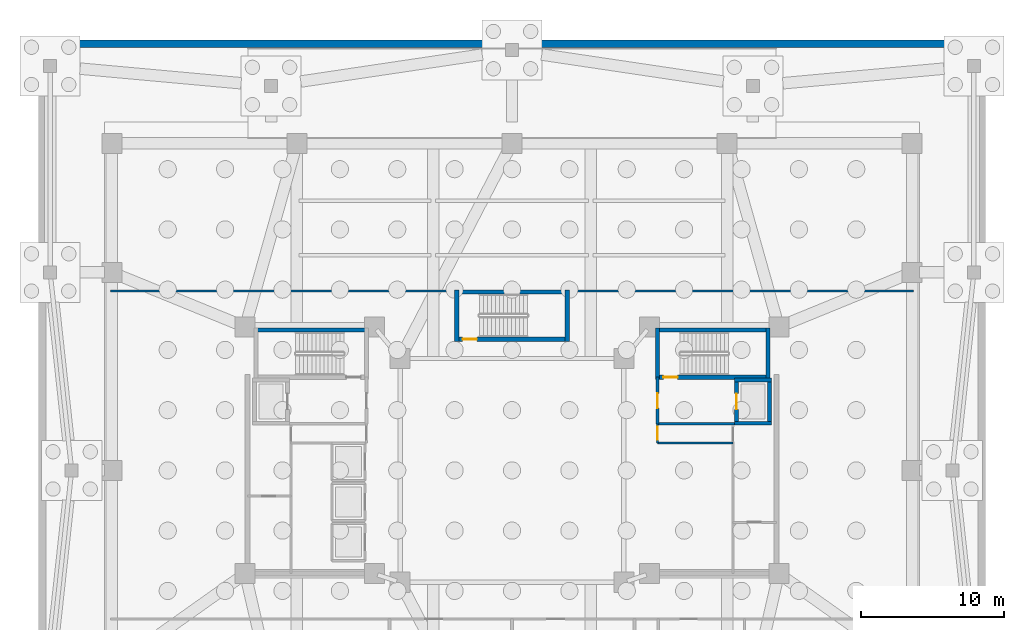
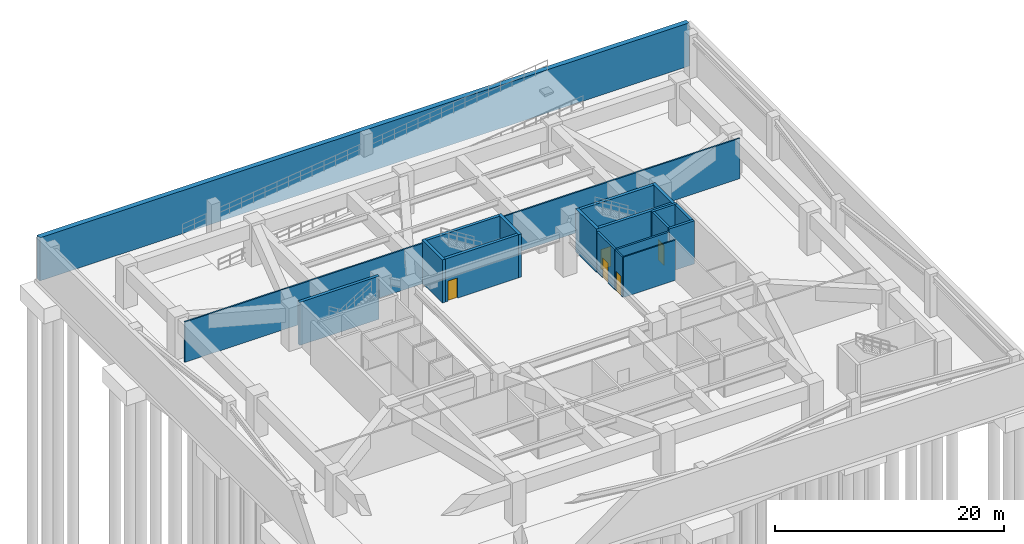
# One storey, part 5 of 9: 20 walls, 5 doors, 5 openings.
"""IFC4 building model written with IfcOpenShell, lengths in metres."""

from ifc_helpers import new_model, si_unit, direction, frame, frame_2d, origin, place, context, subcontext, project, spatial, rectangle, extrude, material, layer, layer_set, type_object, element, fill, save


model = new_model("IFC4")

# Units and contexts
model_context = context("Model", 3, precision=1e-05, world=origin(), true_north=direction((0.0, 1.0)))
body_context = subcontext(model_context, "Body", "Model", "MODEL_VIEW")
ifc_project = project(units=[si_unit("LENGTHUNIT", "METRE"), si_unit("AREAUNIT", "SQUARE_METRE"), si_unit("VOLUMEUNIT", "CUBIC_METRE"), si_unit("PLANEANGLEUNIT", "RADIAN"), si_unit("MASSUNIT", "GRAM", prefix="KILO")], contexts=[model_context])

# Site, building, storey
site_placement = place(None, origin())
site = spatial("IfcSite", under=ifc_project, at=site_placement, CompositionType="ELEMENT")
building_placement = place(site_placement, origin())
building = spatial("IfcBuilding", under=site, at=building_placement, Name="Tarnavaz Court Tower", CompositionType="ELEMENT")
storey_placement = place(building_placement, frame((0.0, 0.0, -9.199951171875)))
storey = spatial("IfcBuildingStorey", under=building, at=storey_placement, Name="B02", CompositionType="ELEMENT", Elevation=-9.199951171875)

# Wall, opening, door
ifc_material_1 = material(Name="Concrete C60/75", Category="concrete")
ifc_layer_1 = layer(ifc_material_1, 0.25)
ifc_layer_set_1 = layer_set([ifc_layer_1], Name="Concrete C60/75")
wall_type_1 = type_object("IfcWallType", Name="WL-CORE-250-C60", PredefinedType="SHEAR", material=ifc_layer_set_1)
wall_1_placement = place(storey_placement, frame((15.64990234375, 3.175048828125, 0.0), z_axis=(0.0, 0.0, 1.0), x_axis=(0.0, 1.0, 0.0)))
wall_1 = element("IfcWall", 1, at=wall_1_placement, inside=storey, type_object=wall_type_1, Name="B02 Lift FL-E1 Shaft Wall 037", PredefinedType="SHEAR", context=body_context, shape_type="SweptSolid", body=[
    extrude(rectangle(XDim=3.25, YDim=0.25, at=frame_2d((1.625, 0.0))), origin(), (0.0, 0.0, 1.0), 4.599853515625),
])
opening_1_placement = place(wall_1_placement, frame((1.074951171875, 0.0, 0.0)))
opening_1 = element("IfcOpeningElement", 2, at=opening_1_placement, cuts=wall_1, Name="Opening LD1", PredefinedType="OPENING", context=body_context, shape_type="SweptSolid", body=[
    extrude(rectangle(XDim=1.10009765625, YDim=2.14990234375, at=frame_2d((0.550048828125, 1.074951171875))), frame((0.0, 0.135009765625, 0.0), z_axis=(0.0, -1.0, 0.0), x_axis=(1.0, 0.0, 0.0)), (0.0, 0.0, 1.0), 0.27001953125),
])
ifc_material_2 = material(Name="Stainless Steel", Category="steel")
door_type_1 = type_object("IfcDoorType", Name="DR-LD-1100", OperationType="NOTDEFINED", PredefinedType="DOOR", material=ifc_material_2)
door_1_placement = place(opening_1_placement, origin())
door_1 = element("IfcDoor", 3, at=door_1_placement, inside=storey, type_object=door_type_1, Name="B02 Lift Landing Door LD-FL-E1", OperationType="SLIDING_TO_LEFT", OverallHeight=2.14990234375, OverallWidth=1.10009765625, PredefinedType="DOOR", context=body_context, shape_type="SweptSolid", body=[
    extrude(rectangle(XDim=1.10009765625, YDim=2.14990234375, at=frame_2d((0.550048828125, 1.074951171875))), frame((0.0, 0.02490234375, 0.0), z_axis=(0.0, -1.0, 0.0), x_axis=(1.0, 0.0, 0.0)), (0.0, 0.0, 1.0), 0.050048828125),
])
fill(opening_1, door_1)

# Walls
wall_2_placement = place(storey_placement, frame((17.949951171875, 3.175048828125, 0.0), z_axis=(0.0, 0.0, 1.0), x_axis=(0.0, 1.0, 0.0)))
element("IfcWall", 4, at=wall_2_placement, inside=storey, type_object=wall_type_1, Name="B02 Lift FL-E1 Shaft Wall 038", PredefinedType="SHEAR", context=body_context, shape_type="SweptSolid", body=[
    extrude(rectangle(XDim=3.25, YDim=0.25, at=frame_2d((1.625, 0.0))), origin(), (0.0, 0.0, 1.0), 4.599853515625),
])
for number, where, z_axis, x_axis, name in (
    (5, (15.52490234375, 3.300048828125, 0.0), (0.0, 0.0, 1.0), (1.0, 0.0, 0.0), "B02 Lift FL-E1 Shaft Wall 039"),
    (6, (15.52490234375, 6.300048828125, 0.0), (0.0, 0.0, 1.0), (1.0, 0.0, 0.0), "B02 Lift FL-E1 Shaft Wall 040"),
):
    element("IfcWall", number, at=place(storey_placement, frame(where, z_axis=z_axis, x_axis=x_axis)), inside=storey, type_object=wall_type_1, Name=name, PredefinedType="SHEAR", context=body_context, shape_type="SweptSolid", body=[
        extrude(rectangle(XDim=2.550048828125, YDim=0.25, at=frame_2d((1.27490234375, 0.0))), origin(), (0.0, 0.0, 1.0), 4.599853515625),
    ])
ifc_layer_2 = layer(ifc_material_1, 0.300048828125)
ifc_layer_set_2 = layer_set([ifc_layer_2], Name="Concrete C60/75")
wall_type_2 = type_object("IfcWallType", Name="WL-CORE-300-C60", PredefinedType="SHEAR", material=ifc_layer_set_2)
for number, where, z_axis, x_axis, name in (
    (7, (-18.0, 9.7900390625, 0.0), (0.0, 0.0, 1.0), (1.0, 0.0, 0.0), "B02 West Stair Core Wall 001"),
    (8, (10.0, 9.7900390625, 0.0), (0.0, 0.0, 1.0), (1.0, 0.0, 0.0), "B02 East Stair Core Wall 005"),
):
    element("IfcWall", number, at=place(storey_placement, frame(where, z_axis=z_axis, x_axis=x_axis)), inside=storey, type_object=wall_type_2, Name=name, PredefinedType="SHEAR", context=body_context, shape_type="SweptSolid", body=[
        extrude(rectangle(XDim=8.0, YDim=0.300048828125, at=frame_2d((4.0, 0.0))), origin(), (0.0, 0.0, 1.0), 4.599853515625),
    ])

# Wall, opening, door
wall_3_placement = place(storey_placement, frame((10.0, 6.5, 0.0), z_axis=(0.0, 0.0, 1.0), x_axis=(1.0, 0.0, 0.0)))
wall_3 = element("IfcWall", 9, at=wall_3_placement, inside=storey, type_object=wall_type_2, Name="B02 East Stair Core Wall 006", PredefinedType="SHEAR", context=body_context, shape_type="SweptSolid", body=[
    extrude(rectangle(XDim=8.0, YDim=0.300048828125, at=frame_2d((4.0, 0.0))), origin(), (0.0, 0.0, 1.0), 4.599853515625),
])
opening_2_placement = place(wall_3_placement, frame((0.550048828125, 0.0, 0.0)))
opening_2 = element("IfcOpeningElement", 10, at=opening_2_placement, cuts=wall_3, Name="Opening D01", PredefinedType="OPENING", context=body_context, shape_type="SweptSolid", body=[
    extrude(rectangle(XDim=1.0, YDim=2.14990234375, at=frame_2d((0.5, 1.074951171875))), frame((0.0, 0.159912109375, 0.0), z_axis=(0.0, -1.0, 0.0), x_axis=(1.0, 0.0, 0.0)), (0.0, 0.0, 1.0), 0.320068359375),
])
ifc_material_3 = material(Name="Fire-Rated Hardwood Timber Core", Category="wood")
door_type_2 = type_object("IfcDoorType", Name="DR-FD90-1000", OperationType="NOTDEFINED", PredefinedType="DOOR", material=ifc_material_3)
door_2_placement = place(opening_2_placement, origin())
door_2 = element("IfcDoor", 11, at=door_2_placement, inside=storey, type_object=door_type_2, Name="B02 Stair ST-E1 Exit Door", OperationType="SINGLE_SWING_RIGHT", OverallHeight=2.14990234375, OverallWidth=1.0, PredefinedType="DOOR", context=body_context, shape_type="SweptSolid", body=[
    extrude(rectangle(XDim=1.0, YDim=2.14990234375, at=frame_2d((0.5, 1.074951171875))), frame((0.0, 0.02490234375, 0.0), z_axis=(0.0, -1.0, 0.0), x_axis=(1.0, 0.0, 0.0)), (0.0, 0.0, 1.0), 0.050048828125),
])
fill(opening_2, door_2)

# Walls
for number, where, z_axis, x_axis, name in (
    (12, (10.14990234375, 6.35009765625, 0.0), (0.0, 0.0, 1.0), (0.0, 1.0, 0.0), "B02 East Stair Core Wall 007"),
    (13, (17.85009765625, 6.35009765625, 0.0), (0.0, 0.0, 1.0), (0.0, 1.0, 0.0), "B02 East Stair Core Wall 008"),
):
    element("IfcWall", number, at=place(storey_placement, frame(where, z_axis=z_axis, x_axis=x_axis)), inside=storey, type_object=wall_type_2, Name=name, PredefinedType="SHEAR", context=body_context, shape_type="SweptSolid", body=[
        extrude(rectangle(XDim=3.58984375, YDim=0.300048828125, at=frame_2d((1.794921875, 0.0))), origin(), (0.0, 0.0, 1.0), 4.599853515625),
    ])
wall_4_placement = place(storey_placement, frame((-4.0, 12.43994140625, 0.0), z_axis=(0.0, 0.0, 1.0), x_axis=(1.0, 0.0, 0.0)))
element("IfcWall", 14, at=wall_4_placement, inside=storey, type_object=wall_type_2, Name="B02 North Stair Core Wall 009", PredefinedType="SHEAR", context=body_context, shape_type="SweptSolid", body=[
    extrude(rectangle(XDim=8.0, YDim=0.300048828125, at=frame_2d((4.0, 0.0))), origin(), (0.0, 0.0, 1.0), 4.599853515625),
])

# Wall, opening, door
wall_5_placement = place(storey_placement, frame((-4.0, 9.14990234375, 0.0), z_axis=(0.0, 0.0, 1.0), x_axis=(1.0, 0.0, 0.0)))
wall_5 = element("IfcWall", 15, at=wall_5_placement, inside=storey, type_object=wall_type_2, Name="B02 North Stair Core Wall 010", PredefinedType="SHEAR", context=body_context, shape_type="SweptSolid", body=[
    extrude(rectangle(XDim=8.0, YDim=0.300048828125, at=frame_2d((4.0, 0.0))), origin(), (0.0, 0.0, 1.0), 4.599853515625),
])
opening_3_placement = place(wall_5_placement, frame((0.550048828125, 0.0, 0.0)))
opening_3 = element("IfcOpeningElement", 16, at=opening_3_placement, cuts=wall_5, Name="Opening D01", PredefinedType="OPENING", context=body_context, shape_type="SweptSolid", body=[
    extrude(rectangle(XDim=1.0, YDim=2.14990234375, at=frame_2d((0.5, 1.074951171875))), frame((0.0, 0.159912109375, 0.0), z_axis=(0.0, -1.0, 0.0), x_axis=(1.0, 0.0, 0.0)), (0.0, 0.0, 1.0), 0.320068359375),
])
door_3_placement = place(opening_3_placement, origin())
door_3 = element("IfcDoor", 17, at=door_3_placement, inside=storey, type_object=door_type_2, Name="B02 Stair ST-N1 Exit Door", OperationType="SINGLE_SWING_LEFT", OverallHeight=2.14990234375, OverallWidth=1.0, PredefinedType="DOOR", context=body_context, shape_type="SweptSolid", body=[
    extrude(rectangle(XDim=1.0, YDim=2.14990234375, at=frame_2d((0.5, 1.074951171875))), frame((0.0, 0.02490234375, 0.0), z_axis=(0.0, -1.0, 0.0), x_axis=(1.0, 0.0, 0.0)), (0.0, 0.0, 1.0), 0.050048828125),
])
fill(opening_3, door_3)

# Walls
for number, where, z_axis, x_axis, name in (
    (18, (-3.85009765625, 9.0, 0.0), (0.0, 0.0, 1.0), (0.0, 1.0, 0.0), "B02 North Stair Core Wall 011"),
    (19, (3.85009765625, 9.0, 0.0), (0.0, 0.0, 1.0), (0.0, 1.0, 0.0), "B02 North Stair Core Wall 012"),
):
    element("IfcWall", number, at=place(storey_placement, frame(where, z_axis=z_axis, x_axis=x_axis)), inside=storey, type_object=wall_type_2, Name=name, PredefinedType="SHEAR", context=body_context, shape_type="SweptSolid", body=[
        extrude(rectangle(XDim=3.590087890625, YDim=0.300048828125, at=frame_2d((1.794921875, 0.0))), origin(), (0.0, 0.0, 1.0), 4.599853515625),
    ])
ifc_material_4 = material(Name="Gypsum Fire-Board on Acoustic Metal Stud", Category="masonry")
ifc_layer_3 = layer(ifc_material_4, 0.14990234375)
ifc_layer_set_3 = layer_set([ifc_layer_3], Name="Gypsum Fire-Board on Acoustic Metal Stud")
wall_type_3 = type_object("IfcWallType", Name="WL-FIRE-150", PredefinedType="PARTITIONING", material=ifc_layer_set_3)
for number, where, z_axis, x_axis, name in (
    (20, (-28.0, 12.5, 0.0), (0.0, 0.0, 1.0), (1.0, 0.0, 0.0), "B02 NW Wing Corridor Wall 053"),
    (21, (3.85009765625, 12.5, 0.0), (0.0, 0.0, 1.0), (1.0, 0.0, 0.0), "B02 NE Wing Corridor Wall 054"),
):
    element("IfcWall", number, at=place(storey_placement, frame(where, z_axis=z_axis, x_axis=x_axis)), inside=storey, type_object=wall_type_3, Name=name, PredefinedType="PARTITIONING", context=body_context, shape_type="SweptSolid", body=[
        extrude(rectangle(XDim=24.14990234375, YDim=0.14990234375, at=frame_2d((12.074951171875, 0.0))), origin(), (0.0, 0.0, 1.0), 4.300048828125),
    ])
ifc_material_5 = material(Name="Autoclaved Aerated Concrete Blockwork", Category="masonry")
ifc_layer_4 = layer(ifc_material_5, 0.199951171875)
ifc_layer_set_4 = layer_set([ifc_layer_4], Name="Autoclaved Aerated Concrete Blockwork")
wall_type_4 = type_object("IfcWallType", Name="WL-FIRE-200", PredefinedType="SOLIDWALL", material=ifc_layer_set_4)
wall_6_placement = place(storey_placement, frame((10.14990234375, 3.25, 0.0), z_axis=(0.0, 0.0, 1.0), x_axis=(1.0, 0.0, 0.0)))
element("IfcWall", 22, at=wall_6_placement, inside=storey, type_object=wall_type_4, Name="B02 East Firefighting Lobby Wall 019", PredefinedType="SOLIDWALL", context=body_context, shape_type="SweptSolid", body=[
    extrude(rectangle(XDim=5.400146484375, YDim=0.199951171875, at=frame_2d((2.7001953125, 0.0))), origin(), (0.0, 0.0, 1.0), 4.300048828125),
])

# Wall, opening, door
wall_7_placement = place(storey_placement, frame((10.14990234375, 3.25, 0.0), z_axis=(0.0, 0.0, 1.0), x_axis=(0.0, 1.0, 0.0)))
wall_7 = element("IfcWall", 23, at=wall_7_placement, inside=storey, type_object=wall_type_4, Name="B02 East Firefighting Lobby Wall 020", PredefinedType="SOLIDWALL", context=body_context, shape_type="SweptSolid", body=[
    extrude(rectangle(XDim=3.25, YDim=0.199951171875, at=frame_2d((1.625, 0.0))), origin(), (0.0, 0.0, 1.0), 4.300048828125),
])
opening_4_placement = place(wall_7_placement, frame((1.10009765625, 0.0, 0.0)))
opening_4 = element("IfcOpeningElement", 24, at=opening_4_placement, cuts=wall_7, Name="Opening D05", PredefinedType="OPENING", context=body_context, shape_type="SweptSolid", body=[
    extrude(rectangle(XDim=1.02001953125, YDim=2.14990234375, at=frame_2d((0.510009765625, 1.074951171875))), frame((0.0, 0.10986328125, 0.0), z_axis=(0.0, -1.0, 0.0), x_axis=(1.0, 0.0, 0.0)), (0.0, 0.0, 1.0), 0.219970703125),
])
door_type_3 = type_object("IfcDoorType", Name="DR-FD60-1000", OperationType="NOTDEFINED", PredefinedType="DOOR", material=ifc_material_3)
door_4_placement = place(opening_4_placement, origin())
door_4 = element("IfcDoor", 25, at=door_4_placement, inside=storey, type_object=door_type_3, Name="B02 East Firefighting Lobby Door", OperationType="SINGLE_SWING_LEFT", OverallHeight=2.14990234375, OverallWidth=1.02001953125, PredefinedType="DOOR", context=body_context, shape_type="SweptSolid", body=[
    extrude(rectangle(XDim=1.02001953125, YDim=2.14990234375, at=frame_2d((0.510009765625, 1.074951171875))), frame((0.0, 0.02490234375, 0.0), z_axis=(0.0, -1.0, 0.0), x_axis=(1.0, 0.0, 0.0)), (0.0, 0.0, 1.0), 0.050048828125),
])
fill(opening_4, door_4)

# Wall
ifc_material_6 = material(Name="Gypsum Plasterboard Acoustic Partition", Category="masonry")
ifc_layer_5 = layer(ifc_material_6, 0.139892578125)
ifc_layer_set_5 = layer_set([ifc_layer_5], Name="Gypsum Plasterboard Acoustic Partition")
wall_type_5 = type_object("IfcWallType", Name="WL-PART-150", PredefinedType="PARTITIONING", material=ifc_layer_set_5)
wall_8_placement = place(storey_placement, frame((10.14990234375, 1.89990234375, 0.0), z_axis=(0.0, 0.0, 1.0), x_axis=(1.0, 0.0, 0.0)))
element("IfcWall", 26, at=wall_8_placement, inside=storey, type_object=wall_type_5, Name="B02 Interior Partition 049", PredefinedType="PARTITIONING", context=body_context, shape_type="SweptSolid", body=[
    extrude(rectangle(XDim=5.25, YDim=0.139892578125, at=frame_2d((2.625, 0.0))), origin(), (0.0, 0.0, 1.0), 4.300048828125),
])

# Wall, opening, door
wall_9_placement = place(storey_placement, frame((10.14990234375, 1.919921875, 0.0), z_axis=(0.0, 0.0, 1.0), x_axis=(0.0, 1.0, 0.0)))
wall_9 = element("IfcWall", 27, at=wall_9_placement, inside=storey, type_object=wall_type_5, Name="B02 Interior Partition 050", PredefinedType="PARTITIONING", context=body_context, shape_type="SweptSolid", body=[
    extrude(rectangle(XDim=1.330078125, YDim=0.139892578125, at=frame_2d((0.6650390625, 0.0))), origin(), (0.0, 0.0, 1.0), 4.300048828125),
])
opening_5_placement = place(wall_9_placement, frame((0.219970703125, 0.0, 0.0)))
opening_5 = element("IfcOpeningElement", 28, at=opening_5_placement, cuts=wall_9, Name="Opening D09", PredefinedType="OPENING", context=body_context, shape_type="SweptSolid", body=[
    extrude(rectangle(XDim=0.89990234375, YDim=2.080078125, at=frame_2d((0.449951171875, 1.0400390625))), frame((0.0, 0.079833984375, 0.0), z_axis=(0.0, -1.0, 0.0), x_axis=(1.0, 0.0, 0.0)), (0.0, 0.0, 1.0), 0.159912109375),
])
door_type_4 = type_object("IfcDoorType", Name="DR-FD30-900", OperationType="NOTDEFINED", PredefinedType="DOOR", material=ifc_material_3)
door_5_placement = place(opening_5_placement, origin())
door_5 = element("IfcDoor", 29, at=door_5_placement, inside=storey, type_object=door_type_4, Name="B02 East Core Service Lobby Door", OperationType="SINGLE_SWING_LEFT", OverallHeight=2.080078125, OverallWidth=0.89990234375, PredefinedType="DOOR", context=body_context, shape_type="SweptSolid", body=[
    extrude(rectangle(XDim=0.89990234375, YDim=2.080078125, at=frame_2d((0.449951171875, 1.0400390625))), frame((0.0, 0.02490234375, 0.0), z_axis=(0.0, -1.0, 0.0), x_axis=(1.0, 0.0, 0.0)), (0.0, 0.0, 1.0), 0.050048828125),
])
fill(opening_5, door_5)

# Wall
ifc_material_7 = material(Name="Concrete C50/60", Category="concrete")
ifc_layer_6 = layer(ifc_material_7, 0.5)
ifc_layer_set_6 = layer_set([ifc_layer_6], Name="Concrete C50/60")
wall_type_6 = type_object("IfcWallType", Name="WL-RET-500", PredefinedType="USERDEFINED", material=ifc_layer_set_6)
wall_10_placement = place(storey_placement, frame((-32.75, 29.75, 0.0), z_axis=(0.0, 0.0, 1.0), x_axis=(1.0, 0.0, 0.0)))
element("IfcWall", 30, at=wall_10_placement, inside=storey, type_object=wall_type_6, Name="B02 Perimeter Retaining Wall 1", ObjectType="RETAINING WALL", PredefinedType="USERDEFINED", context=body_context, shape_type="SweptSolid", body=[
    extrude(rectangle(XDim=65.5, YDim=0.5, at=frame_2d((32.75, 0.0))), origin(), (0.0, 0.0, 1.0), 4.599853515625),
])

save(model, "model.ifc")
